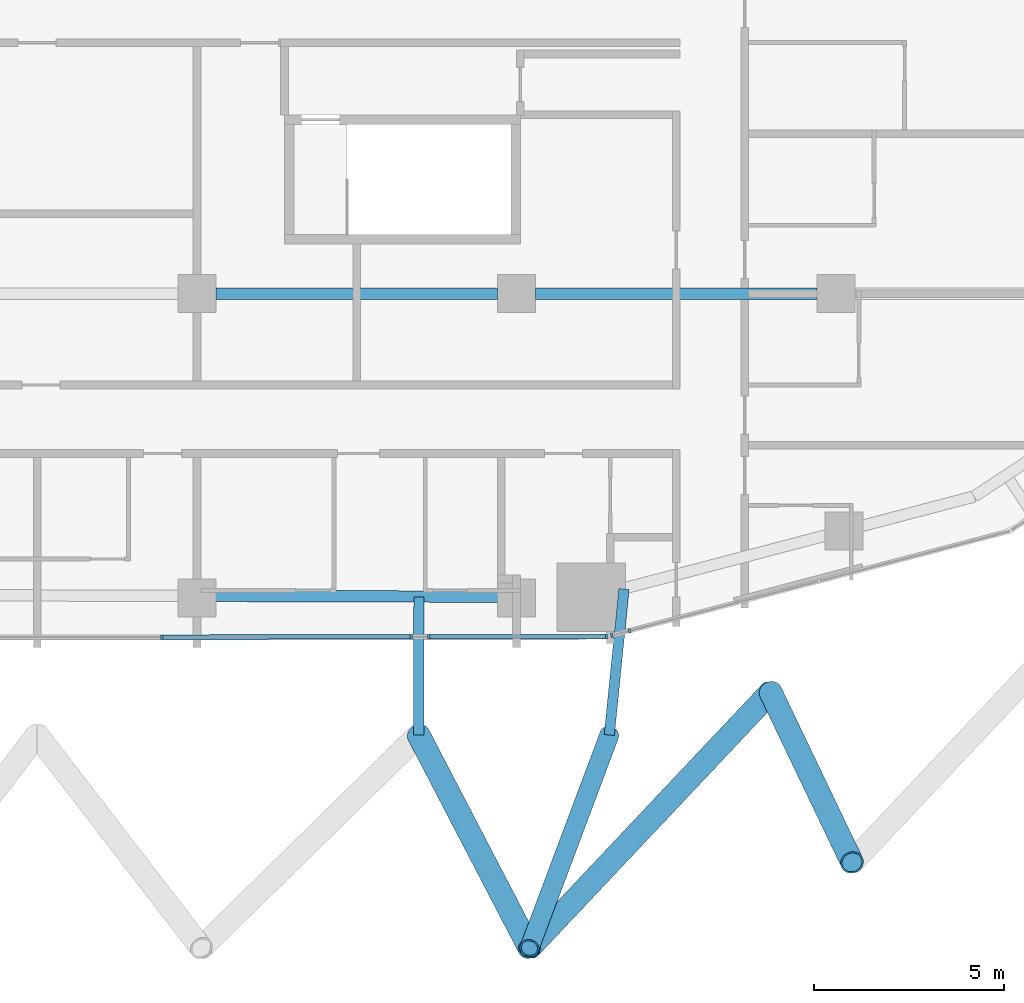
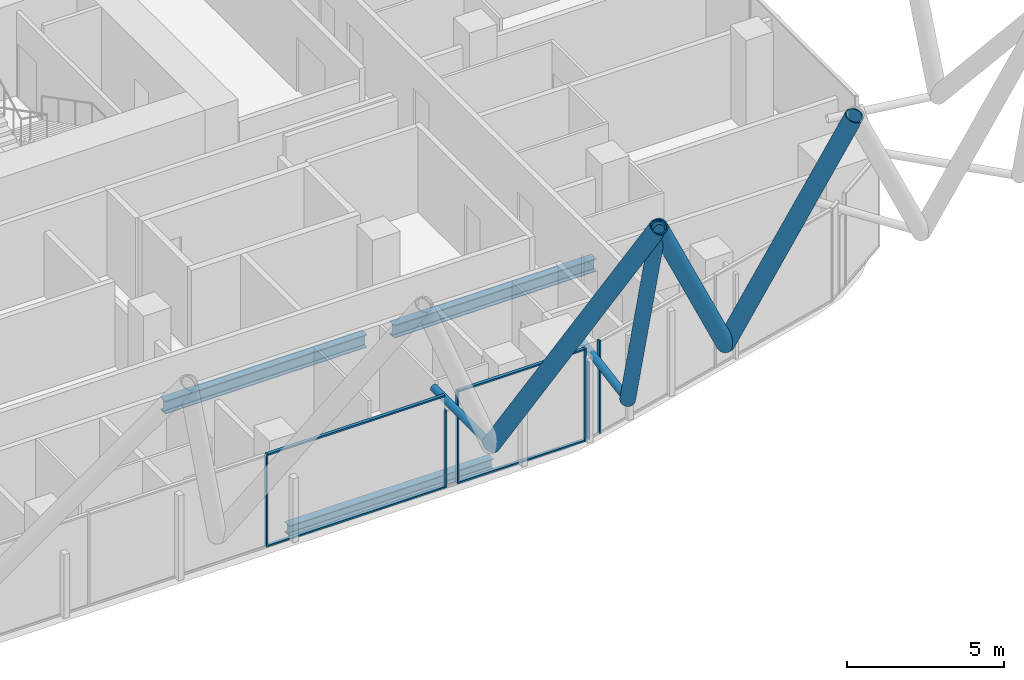
# One storey, part 6 of 36: 16 members, 3 beams, 5 elements without a shape of their own.
"""IFC4 building model written with IfcOpenShell, lengths in metres."""

from ifc_helpers import new_model, si_unit, direction, frame, origin, origin_2d, place, context, subcontext, project, spatial, rectangle, hollow_circle, i_section, extrude, material, layer, layer_set, material_profile, profile_set, type_object, element, aggregate, save


model = new_model("IFC4")

# Units and contexts
model_context = context("Model", 3, precision=1e-05, world=origin(), true_north=direction((0.0, 1.0)))
body_context = subcontext(model_context, "Body", "Model", "MODEL_VIEW")
ifc_project = project(units=[si_unit("LENGTHUNIT", "METRE"), si_unit("AREAUNIT", "SQUARE_METRE"), si_unit("VOLUMEUNIT", "CUBIC_METRE"), si_unit("PLANEANGLEUNIT", "RADIAN"), si_unit("MASSUNIT", "GRAM", prefix="KILO")], contexts=[model_context])

# Site, building, storey
site_placement = place(None, origin())
site = spatial("IfcSite", under=ifc_project, at=site_placement, CompositionType="ELEMENT")
building_placement = place(site_placement, origin())
building = spatial("IfcBuilding", under=site, at=building_placement, Name="Marenta Gate Hotel Tower", CompositionType="ELEMENT")
storey_placement = place(building_placement, frame((0.0, 0.0, 83.300048828125)))
storey = spatial("IfcBuildingStorey", under=building, at=storey_placement, Name="L19", CompositionType="ELEMENT", Elevation=83.300048828125)

# Members
ifc_material_1 = material(Name="Steel S355J2W", Category="steel")
ifc_material_profile_1 = material_profile(ifc_material_1, hollow_circle(Radius=0.25390625, WallThickness=0.0400390625, at=origin_2d()), Name="CHS 508x40")
ifc_profile_set_1 = profile_set([ifc_material_profile_1], Name="Steel S355J2W")
member_type_1 = type_object("IfcMemberType", Name="Diagrid corner post Z1 CHS 508x40", PredefinedType="POST", material=ifc_profile_set_1)
member_1_placement = place(storey_placement, frame((15.0390625, -20.0, 3.139892578125), z_axis=(-0.170109713578, -0.45361271914, 0.874813229427), x_axis=(0.93632582247, -0.35113238839, 0.0)))
element("IfcMember", 1, at=member_1_placement, inside=storey, type_object=member_type_1, Name="L19-DR-3", PredefinedType="POST", context=body_context, shape_type="SweptSolid", body=[
    extrude(hollow_circle(Radius=0.25390625, WallThickness=0.0400390625, at=origin_2d()), origin(), (0.0, 0.0, 1.0), 12.345458984375),
])
ifc_material_2 = material(Name="Steel S355J2W", Category="steel")
ifc_material_profile_2 = material_profile(ifc_material_2, hollow_circle(Radius=0.304931640625, WallThickness=0.0400390625, at=origin_2d()), Name="CHS 610x40")
ifc_profile_set_2 = profile_set([ifc_material_profile_2], Name="Steel S355J2W")
member_type_2 = type_object("IfcMemberType", Name="Diagrid diagonal T1 CHS 610x40", PredefinedType="BRACE", material=ifc_profile_set_2)
member_2_placement = place(storey_placement, frame((19.279296875, -18.875, 3.139892578125), z_axis=(0.1800738982, -0.376540560575, 0.908730211575), x_axis=(0.902144216193, 0.431434598971, 0.0)))
element("IfcMember", 2, at=member_2_placement, inside=storey, type_object=member_type_2, Name="L19-DG-13", PredefinedType="BRACE", context=body_context, shape_type="SweptSolid", body=[
    extrude(hollow_circle(Radius=0.304931640625, WallThickness=0.0400390625, at=origin_2d()), origin(), (0.0, 0.0, 1.0), 11.884765625),
])
member_3_placement = place(storey_placement, frame((19.279296875, -18.875, 3.139892578125), z_axis=(-0.446029354035, -0.473096826579, 0.759761283575), x_axis=(0.727615021165, -0.68598570027, 0.0)))
element("IfcMember", 3, at=member_3_placement, inside=storey, type_object=member_type_2, Name="L19-DG-14", PredefinedType="BRACE", context=body_context, shape_type="SweptSolid", body=[
    extrude(hollow_circle(Radius=0.304931640625, WallThickness=0.0400390625, at=origin_2d()), origin(), (0.0, 0.0, 1.0), 14.215087890625),
])
member_4_placement = place(storey_placement, frame((10.02587890625, -20.0, 3.139892578125), z_axis=(0.232869426707, -0.447666687045, 0.863346029941), x_axis=(0.887149669045, 0.461481814066, 0.0)))
element("IfcMember", 4, at=member_4_placement, inside=storey, type_object=member_type_2, Name="L19-DG-15", PredefinedType="BRACE", context=body_context, shape_type="SweptSolid", body=[
    extrude(hollow_circle(Radius=0.304931640625, WallThickness=0.0400390625, at=origin_2d()), origin(), (0.0, 0.0, 1.0), 12.509521484375),
])

# Beam
ifc_material_3 = material(Name="Steel S355", Category="steel")
ifc_material_profile_3 = material_profile(ifc_material_3, i_section(OverallWidth=0.300048828125, OverallDepth=0.39990234375, WebThickness=0.013427734375, FlangeThickness=0.02392578125, FilletRadius=0.027099609375, at=origin_2d()), Name="HEB 400")
ifc_profile_set_3 = profile_set([ifc_material_profile_3], Name="Steel S355")
beam_type_1 = type_object("IfcBeamType", Name="Edge beam HEB 400", PredefinedType="SPANDREL", material=ifc_profile_set_3)
beam_1_placement = place(storey_placement, frame((12.139892578125, -16.365966796875, -0.4599609375), z_axis=(-0.99999624158, 0.002741683018, 0.0), x_axis=(-0.002741683018, -0.99999624158, 0.0)))
element("IfcBeam", 5, at=beam_1_placement, inside=storey, type_object=beam_type_1, Name="L19-EB-32", PredefinedType="SPANDREL", context=body_context, shape_type="SweptSolid", body=[
    extrude(i_section(OverallWidth=0.300048828125, OverallDepth=0.39990234375, WebThickness=0.013427734375, FlangeThickness=0.02392578125, FilletRadius=0.027099609375, at=origin_2d()), origin(), (0.0, 0.0, 1.0), 7.47998046875),
])

# Members
ifc_material_4 = material(Name="Steel S355J2W", Category="steel")
ifc_material_profile_4 = material_profile(ifc_material_4, hollow_circle(Radius=0.136474609375, WallThickness=0.012451171875, at=origin_2d()), Name="CHS 273x12.5")
ifc_profile_set_4 = profile_set([ifc_material_profile_4], Name="Steel S355J2W")
member_type_3 = type_object("IfcMemberType", Name="Floor tie CHS 273x12.5", PredefinedType="STRUT", material=ifc_profile_set_4)
member_5_placement = place(storey_placement, frame((15.0390625, -20.0, 3.139892578125), z_axis=(0.100330975681, 0.994954117193, 0.0), x_axis=(-0.994954117193, 0.100330975681, 0.0)))
element("IfcMember", 6, at=member_5_placement, inside=storey, type_object=member_type_3, Name="L19-DR-13", PredefinedType="STRUT", context=body_context, shape_type="SweptSolid", body=[
    extrude(hollow_circle(Radius=0.136474609375, WallThickness=0.012451171875, at=origin_2d()), origin(), (0.0, 0.0, 1.0), 3.85693359375),
])
member_6_placement = place(storey_placement, frame((10.02587890625, -20.0, 3.139892578125), z_axis=(0.00276149011, 0.999996187079, 0.0), x_axis=(-0.999996187079, 0.00276149011, 0.0)))
element("IfcMember", 7, at=member_6_placement, inside=storey, type_object=member_type_3, Name="L19-DR-14", PredefinedType="STRUT", context=body_context, shape_type="SweptSolid", body=[
    extrude(hollow_circle(Radius=0.136474609375, WallThickness=0.012451171875, at=origin_2d()), origin(), (0.0, 0.0, 1.0), 3.624755859375),
])

# Beams
ifc_material_5 = material(Name="Steel S355", Category="steel")
ifc_material_profile_5 = material_profile(ifc_material_5, i_section(OverallWidth=0.300048828125, OverallDepth=0.5, WebThickness=0.014404296875, FlangeThickness=0.028076171875, FilletRadius=0.027099609375, at=origin_2d()), Name="HEB 500")
ifc_profile_set_5 = profile_set([ifc_material_profile_5], Name="Steel S355")
beam_type_2 = type_object("IfcBeamType", Name="Girder HEB 500", PredefinedType="BEAM", material=ifc_profile_set_5)
beam_2_placement = place(storey_placement, frame((4.699951171875, -8.39990234375, -0.510009765625), z_axis=(1.0, 0.0, 0.0), x_axis=(0.0, 1.0, 0.0)))
element("IfcBeam", 8, at=beam_2_placement, inside=storey, type_object=beam_type_2, Name="L19-GD-5", PredefinedType="BEAM", context=body_context, shape_type="SweptSolid", body=[
    extrude(i_section(OverallWidth=0.300048828125, OverallDepth=0.5, WebThickness=0.014404296875, FlangeThickness=0.028076171875, FilletRadius=0.027099609375, at=origin_2d()), origin(), (0.0, 0.0, 1.0), 7.400146484375),
])
beam_3_placement = place(storey_placement, frame((13.10009765625, -8.39990234375, -0.510009765625), z_axis=(1.0, 0.0, 0.0), x_axis=(0.0, 1.0, 0.0)))
element("IfcBeam", 9, at=beam_3_placement, inside=storey, type_object=beam_type_2, Name="L19-GD-6", PredefinedType="BEAM", context=body_context, shape_type="SweptSolid", body=[
    extrude(i_section(OverallWidth=0.300048828125, OverallDepth=0.5, WebThickness=0.014404296875, FlangeThickness=0.028076171875, FilletRadius=0.027099609375, at=origin_2d()), origin(), (0.0, 0.0, 1.0), 7.39990234375),
])

# Curtain wall, member
ifc_material_6 = material(Name="Tinted insulated glass in bronze anodised frame", Category="glass")
ifc_layer = layer(ifc_material_6, 0.1201171875)
ifc_layer_set = layer_set([ifc_layer], Name="Tinted insulated glass in bronze anodised frame")
curtain_wall_type = type_object("IfcCurtainWallType", Name="Tower unitised curtain wall CW1", PredefinedType="NOTDEFINED", material=ifc_layer_set)
curtain_wall_1_placement = place(storey_placement, origin())
curtain_wall_1 = element("IfcCurtainWall", 10, at=curtain_wall_1_placement, inside=storey, type_object=curtain_wall_type, Name="CW1 run G20", PredefinedType="NOTDEFINED")
ifc_material_7 = material(Name="Bronze anodised aluminium", Category="aluminium")
ifc_material_profile_6 = material_profile(ifc_material_7, rectangle(XDim=0.1201171875, YDim=0.06005859375, at=origin_2d()), Name="Mullion CW1 60x120 bronze anodised aluminium")
ifc_profile_set_6 = profile_set([ifc_material_profile_6], Name="Bronze anodised aluminium")
member_type_4 = type_object("IfcMemberType", Name="Mullion CW1 60x120 bronze anodised aluminium", PredefinedType="MULLION", material=ifc_profile_set_6)
member_7_placement = place(storey_placement, frame((3.273681640625, -17.4267578125, 0.0), z_axis=(0.0, 0.0, 1.0), x_axis=(-0.001163317936, 0.999999323345, 0.0)))
member_7 = element("IfcMember", 11, at=member_7_placement, type_object=member_type_4, Name="CW1 mullion 3", PredefinedType="MULLION", context=body_context, shape_type="SweptSolid", body=[
    extrude(rectangle(XDim=0.1201171875, YDim=0.06005859375, at=origin_2d()), origin(), (0.0, 0.0, 1.0), 3.599853515625),
])

curtain_wall_2_placement = place(storey_placement, origin())
curtain_wall_2 = element("IfcCurtainWall", 12, at=curtain_wall_2_placement, inside=storey, type_object=curtain_wall_type, Name="CW1 run G21", PredefinedType="NOTDEFINED")
member_8_placement = place(storey_placement, frame((9.836669921875, -17.4189453125, 0.0), z_axis=(0.0, 0.0, 1.0), x_axis=(-0.001103752086, 0.999999390865, 0.0)))
member_8 = element("IfcMember", 13, at=member_8_placement, type_object=member_type_4, Name="CW1 mullion 1", PredefinedType="MULLION", context=body_context, shape_type="SweptSolid", body=[
    extrude(rectangle(XDim=0.1201171875, YDim=0.06005859375, at=origin_2d()), origin(), (0.0, 0.0, 1.0), 3.00048828125),
])
aggregate(curtain_wall_2, [member_8])

# Curtain wall, members
curtain_wall_3_placement = place(storey_placement, origin())
curtain_wall_3 = element("IfcCurtainWall", 14, at=curtain_wall_3_placement, inside=storey, type_object=curtain_wall_type, Name="CW1 run G22", PredefinedType="NOTDEFINED")
member_9_placement = place(storey_placement, frame((10.28955078125, -17.41845703125, 0.0), z_axis=(0.0, 0.0, 1.0), x_axis=(-0.001161782868, 0.99999932513, 0.0)))
member_9 = element("IfcMember", 15, at=member_9_placement, type_object=member_type_4, Name="CW1 mullion 1", PredefinedType="MULLION", context=body_context, shape_type="SweptSolid", body=[
    extrude(rectangle(XDim=0.1201171875, YDim=0.06005859375, at=origin_2d()), origin(), (0.0, 0.0, 1.0), 3.599853515625),
])
member_10_placement = place(storey_placement, frame((14.963623046875, -17.4130859375, 0.0), z_axis=(0.0, 0.0, 1.0), x_axis=(-0.001161782868, 0.99999932513, 0.0)))
member_10 = element("IfcMember", 16, at=member_10_placement, type_object=member_type_4, Name="CW1 mullion 2", PredefinedType="MULLION", context=body_context, shape_type="SweptSolid", body=[
    extrude(rectangle(XDim=0.1201171875, YDim=0.06005859375, at=origin_2d()), origin(), (0.0, 0.0, 1.0), 3.599853515625),
])

# Curtain wall, member
curtain_wall_4_placement = place(storey_placement, origin())
curtain_wall_4 = element("IfcCurtainWall", 17, at=curtain_wall_4_placement, inside=storey, type_object=curtain_wall_type, Name="CW1 run G23", PredefinedType="NOTDEFINED")
member_11_placement = place(storey_placement, frame((15.103515625, -17.38427734375, 0.0), z_axis=(0.0, 0.0, 1.0), x_axis=(-0.25342392363, 0.967355319897, 0.0)))
member_11 = element("IfcMember", 18, at=member_11_placement, type_object=member_type_4, Name="CW1 mullion 1", PredefinedType="MULLION", context=body_context, shape_type="SweptSolid", body=[
    extrude(rectangle(XDim=0.1201171875, YDim=0.06005859375, at=origin_2d()), origin(), (0.0, 0.0, 1.0), 3.00048828125),
])
aggregate(curtain_wall_4, [member_11])

curtain_wall_5_placement = place(storey_placement, origin())
curtain_wall_5 = element("IfcCurtainWall", 19, at=curtain_wall_5_placement, inside=storey, type_object=curtain_wall_type, Name="CW1 run G24", PredefinedType="NOTDEFINED")
member_12_placement = place(storey_placement, frame((15.571044921875, -17.26171875, 0.0), z_axis=(0.0, 0.0, 1.0), x_axis=(-0.253363691666, 0.967371097224, 0.0)))
member_12 = element("IfcMember", 20, at=member_12_placement, type_object=member_type_4, Name="CW1 mullion 1", PredefinedType="MULLION", context=body_context, shape_type="SweptSolid", body=[
    extrude(rectangle(XDim=0.1201171875, YDim=0.06005859375, at=origin_2d()), origin(), (0.0, 0.0, 1.0), 3.599853515625),
])
aggregate(curtain_wall_5, [member_12])

# Member
ifc_material_8 = material(Name="Bronze anodised aluminium", Category="aluminium")
ifc_material_profile_7 = material_profile(ifc_material_8, rectangle(XDim=0.1201171875, YDim=0.06005859375, at=origin_2d()), Name="Transom CW1 60x120 bronze anodised aluminium")
ifc_profile_set_7 = profile_set([ifc_material_profile_7], Name="Bronze anodised aluminium")
member_type_5 = type_object("IfcMemberType", Name="Transom CW1 60x120 bronze anodised aluminium", PredefinedType="USERDEFINED", material=ifc_profile_set_7)
member_13_placement = place(storey_placement, frame((3.303466796875, -17.4267578125, 0.030029296875), z_axis=(0.999999322792, 0.001163793933, 0.0), x_axis=(-0.001163793933, 0.999999322792, 0.0)))
member_13 = element("IfcMember", 21, at=member_13_placement, type_object=member_type_5, Name="CW1 transom 3.1", ObjectType="TRANSOM", PredefinedType="USERDEFINED", context=body_context, shape_type="SweptSolid", body=[
    extrude(rectangle(XDim=0.1201171875, YDim=0.06005859375, at=origin_2d()), origin(), (0.0, 0.0, 1.0), 6.503173828125),
])

member_14_placement = place(storey_placement, frame((3.303466796875, -17.4267578125, 3.570068359375), z_axis=(0.999999322792, 0.001163793933, 0.0), x_axis=(-0.001163793933, 0.999999322792, 0.0)))
member_14 = element("IfcMember", 22, at=member_14_placement, type_object=member_type_5, Name="CW1 transom 3.2", ObjectType="TRANSOM", PredefinedType="USERDEFINED", context=body_context, shape_type="SweptSolid", body=[
    extrude(rectangle(XDim=0.1201171875, YDim=0.06005859375, at=origin_2d()), origin(), (0.0, 0.0, 1.0), 6.503173828125),
])

aggregate(curtain_wall_1, [member_7, member_13, member_14])

member_15_placement = place(storey_placement, frame((10.319580078125, -17.41845703125, 0.030029296875), z_axis=(0.999999322456, 0.001164081967, 0.0), x_axis=(-0.001164081967, 0.999999322456, 0.0)))
member_15 = element("IfcMember", 23, at=member_15_placement, type_object=member_type_5, Name="CW1 transom 1.1", ObjectType="TRANSOM", PredefinedType="USERDEFINED", context=body_context, shape_type="SweptSolid", body=[
    extrude(rectangle(XDim=0.1201171875, YDim=0.06005859375, at=origin_2d()), origin(), (0.0, 0.0, 1.0), 4.614013671875),
])

member_16_placement = place(storey_placement, frame((10.319580078125, -17.41845703125, 3.570068359375), z_axis=(0.999999322456, 0.001164081967, 0.0), x_axis=(-0.001164081967, 0.999999322456, 0.0)))
member_16 = element("IfcMember", 24, at=member_16_placement, type_object=member_type_5, Name="CW1 transom 1.2", ObjectType="TRANSOM", PredefinedType="USERDEFINED", context=body_context, shape_type="SweptSolid", body=[
    extrude(rectangle(XDim=0.1201171875, YDim=0.06005859375, at=origin_2d()), origin(), (0.0, 0.0, 1.0), 4.614013671875),
])

aggregate(curtain_wall_3, [member_9, member_10, member_15, member_16])

save(model, "model.ifc")
